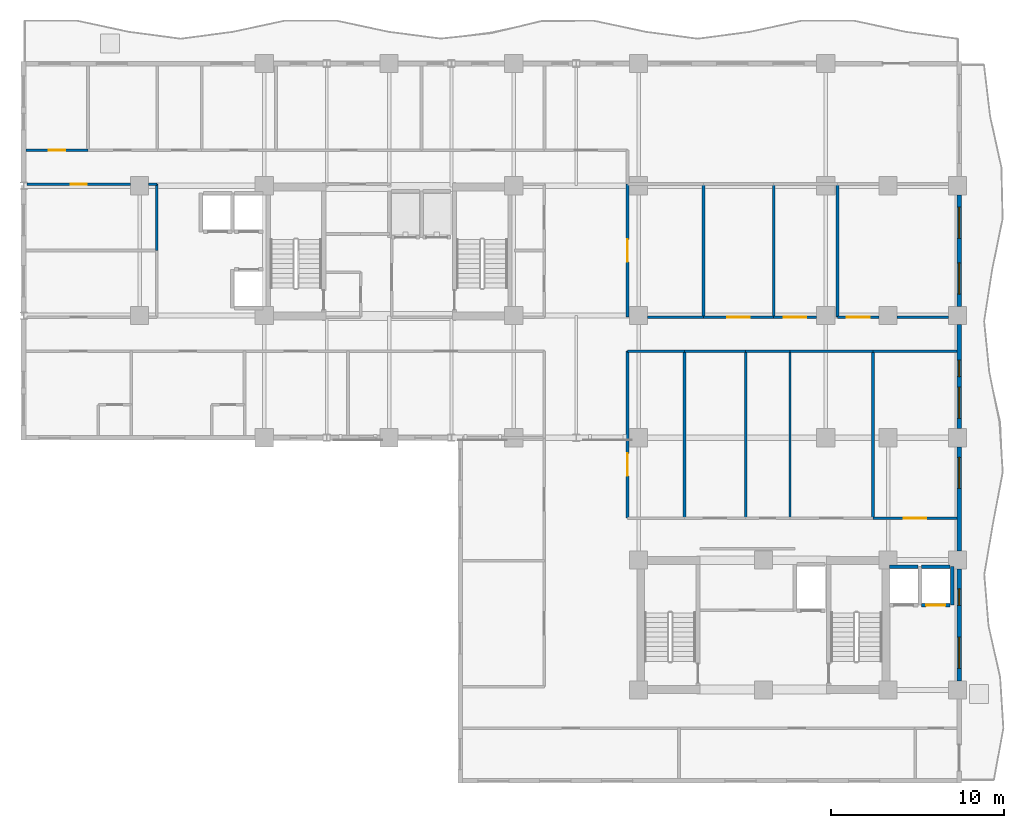
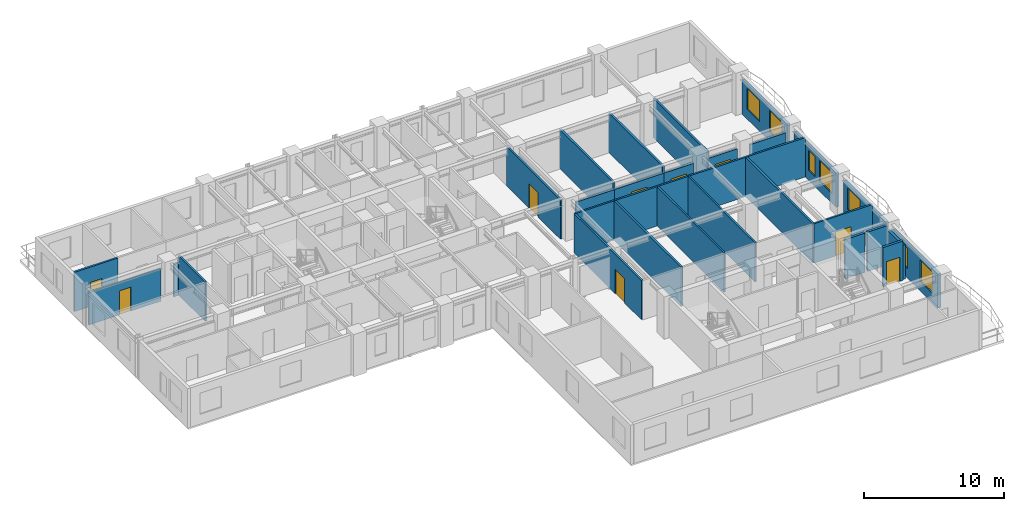
# One storey, part 7 of 14: 32 walls, 9 doors, 7 windows, 16 openings.
"""IFC4 building model written with IfcOpenShell, lengths in metres."""

from ifc_helpers import new_model, si_unit, direction, frame, frame_2d, origin, place, context, subcontext, project, spatial, rectangle, extrude, material, layer, layer_set, type_object, element, fill, save


model = new_model("IFC4")

# Units and contexts
model_context = context("Model", 3, precision=1e-05, world=origin(), true_north=direction((0.0, 1.0)))
body_context = subcontext(model_context, "Body", "Model", "MODEL_VIEW")
ifc_project = project(units=[si_unit("LENGTHUNIT", "METRE"), si_unit("AREAUNIT", "SQUARE_METRE"), si_unit("VOLUMEUNIT", "CUBIC_METRE"), si_unit("PLANEANGLEUNIT", "RADIAN"), si_unit("MASSUNIT", "GRAM", prefix="KILO")], contexts=[model_context])

# Site, building, storey
site_placement = place(None, origin())
site = spatial("IfcSite", under=ifc_project, at=site_placement, CompositionType="ELEMENT")
building_placement = place(site_placement, origin())
building = spatial("IfcBuilding", under=site, at=building_placement, Name="Kaliganga Portal Commons", CompositionType="ELEMENT")
storey_placement = place(building_placement, frame((0.0, 0.0, 151.300048828125)))
storey = spatial("IfcBuildingStorey", under=building, at=storey_placement, Name="L38", CompositionType="ELEMENT", Elevation=151.300048828125)

# Wall, openings, windows
ifc_material_1 = material(Name="Insulated Aluminium-Clad Spandrel Assembly", Category="aluminium")
ifc_layer_1 = layer(ifc_material_1, 0.260009765625)
ifc_layer_set_1 = layer_set([ifc_layer_1], Name="Insulated Aluminium-Clad Spandrel Assembly")
wall_type_1 = type_object("IfcWallType", Name="WL-EXT-SPAND-260", PredefinedType="STANDARD", material=ifc_layer_set_1)
wall_1_placement = place(storey_placement, frame((54.5, 14.02392578125, 0.0), z_axis=(0.0, 0.0, 1.0), x_axis=(0.0, -1.0, 0.0)))
wall_1 = element("IfcWall", 1, at=wall_1_placement, inside=storey, type_object=wall_type_1, Name="Exterior Envelope Wall L38 P1-E01-S2", PredefinedType="STANDARD", context=body_context, shape_type="SweptSolid", body=[
    extrude(rectangle(XDim=6.447998046875, YDim=0.260009765625, at=frame_2d((3.22412109375, 0.0))), origin(), (0.0, 0.0, 1.0), 2.989990234375),
])
opening_1_placement = place(wall_1_placement, frame((3.93603515625, 0.0, 0.85009765625)))
opening_1 = element("IfcOpeningElement", 2, at=opening_1_placement, cuts=wall_1, Name="Opening W-01", PredefinedType="OPENING", context=body_context, shape_type="SweptSolid", body=[
    extrude(rectangle(XDim=1.800048828125, YDim=1.85009765625, at=frame_2d((0.89990234375, 0.925048828125))), frame((0.0, 0.14013671875, 0.0), z_axis=(0.0, -1.0, 0.0), x_axis=(1.0, 0.0, 0.0)), (0.0, 0.0, 1.0), 0.280029296875),
])
opening_2_placement = place(wall_1_placement, frame((1.14990234375, 0.0, 0.85009765625)))
opening_2 = element("IfcOpeningElement", 3, at=opening_2_placement, cuts=wall_1, Name="Opening W-04", PredefinedType="OPENING", context=body_context, shape_type="SweptSolid", body=[
    extrude(rectangle(XDim=0.949951171875, YDim=1.75, at=frame_2d((0.47509765625, 0.875))), frame((0.0, 0.14013671875, 0.0), z_axis=(0.0, -1.0, 0.0), x_axis=(1.0, 0.0, 0.0)), (0.0, 0.0, 1.0), 0.280029296875),
])
ifc_material_2 = material(Name="Thermally Broken Aluminium and Low-E Double Glazing", Category="aluminium")
window_type_1 = type_object("IfcWindowType", Name="WIN-NARROW-950", PartitioningType="SINGLE_PANEL", PredefinedType="WINDOW", material=ifc_material_2)
window_1_placement = place(opening_2_placement, origin())
window_1 = element("IfcWindow", 4, at=window_1_placement, inside=storey, type_object=window_type_1, Name="Facade Window L38-P1E01S2-N1", OverallHeight=1.75, OverallWidth=0.949951171875, PartitioningType="SINGLE_PANEL", PredefinedType="WINDOW", context=body_context, shape_type="SweptSolid", body=[
    extrude(rectangle(XDim=0.949951171875, YDim=1.75, at=frame_2d((0.47509765625, 0.875))), frame((0.0, 0.030029296875, 0.0), z_axis=(0.0, -1.0, 0.0), x_axis=(1.0, 0.0, 0.0)), (0.0, 0.0, 1.0), 0.06005859375),
])
fill(opening_2, window_1)
window_type_2 = type_object("IfcWindowType", Name="WIN-STD-1800", PartitioningType="DOUBLE_PANEL_VERTICAL", PredefinedType="WINDOW", material=ifc_material_2)
window_2_placement = place(opening_1_placement, origin())
window_2 = element("IfcWindow", 5, at=window_2_placement, inside=storey, type_object=window_type_2, Name="Facade Window L38-P1E01S2-01", OverallHeight=1.85009765625, OverallWidth=1.800048828125, PartitioningType="SINGLE_PANEL", PredefinedType="WINDOW", context=body_context, shape_type="SweptSolid", body=[
    extrude(rectangle(XDim=1.800048828125, YDim=1.85009765625, at=frame_2d((0.89990234375, 0.925048828125))), frame((0.0, 0.030029296875, 0.0), z_axis=(0.0, -1.0, 0.0), x_axis=(1.0, 0.0, 0.0)), (0.0, 0.0, 1.0), 0.06005859375),
])
fill(opening_1, window_2)

# Wall, opening, window
wall_2_placement = place(storey_placement, frame((54.5, 21.073974609375, 0.0), z_axis=(0.0, 0.0, 1.0), x_axis=(0.0, -1.0, 0.0)))
wall_2 = element("IfcWall", 6, at=wall_2_placement, inside=storey, type_object=wall_type_1, Name="Exterior Envelope Wall L38 P1-E01-S3", PredefinedType="STANDARD", context=body_context, shape_type="SweptSolid", body=[
    extrude(rectangle(XDim=5.998046875, YDim=0.260009765625, at=frame_2d((2.9990234375, 0.0))), origin(), (0.0, 0.0, 1.0), 2.989990234375),
])
opening_3_placement = place(wall_2_placement, frame((0.599609375, 0.0, 0.85009765625)))
opening_3 = element("IfcOpeningElement", 7, at=opening_3_placement, cuts=wall_2, Name="Opening W-01", PredefinedType="OPENING", context=body_context, shape_type="SweptSolid", body=[
    extrude(rectangle(XDim=1.800048828125, YDim=1.85009765625, at=frame_2d((0.89990234375, 0.925048828125))), frame((0.0, 0.14013671875, 0.0), z_axis=(0.0, -1.0, 0.0), x_axis=(1.0, 0.0, 0.0)), (0.0, 0.0, 1.0), 0.280029296875),
])
window_3_placement = place(opening_3_placement, origin())
window_3 = element("IfcWindow", 8, at=window_3_placement, inside=storey, type_object=window_type_2, Name="Facade Window L38-P1E01S3-00", OverallHeight=1.85009765625, OverallWidth=1.800048828125, PartitioningType="SINGLE_PANEL", PredefinedType="WINDOW", context=body_context, shape_type="SweptSolid", body=[
    extrude(rectangle(XDim=1.800048828125, YDim=1.85009765625, at=frame_2d((0.89990234375, 0.925048828125))), frame((0.0, 0.030029296875, 0.0), z_axis=(0.0, -1.0, 0.0), x_axis=(1.0, 0.0, 0.0)), (0.0, 0.0, 1.0), 0.06005859375),
])
fill(opening_3, window_3)

# Wall, openings, windows
wall_3_placement = place(storey_placement, frame((54.5, 28.1240234375, 0.0), z_axis=(0.0, 0.0, 1.0), x_axis=(0.0, -1.0, 0.0)))
wall_3 = element("IfcWall", 9, at=wall_3_placement, inside=storey, type_object=wall_type_1, Name="Exterior Envelope Wall L38 P1-E01-S4", PredefinedType="STANDARD", context=body_context, shape_type="SweptSolid", body=[
    extrude(rectangle(XDim=5.998046875, YDim=0.260009765625, at=frame_2d((2.9990234375, 0.0))), origin(), (0.0, 0.0, 1.0), 2.989990234375),
])
opening_4_placement = place(wall_3_placement, frame((3.598388671875, 0.0, 0.85009765625)))
opening_4 = element("IfcOpeningElement", 10, at=opening_4_placement, cuts=wall_3, Name="Opening W-01", PredefinedType="OPENING", context=body_context, shape_type="SweptSolid", body=[
    extrude(rectangle(XDim=1.800048828125, YDim=1.85009765625, at=frame_2d((0.89990234375, 0.925048828125))), frame((0.0, 0.14013671875, 0.0), z_axis=(0.0, -1.0, 0.0), x_axis=(1.0, 0.0, 0.0)), (0.0, 0.0, 1.0), 0.280029296875),
])
opening_5_placement = place(wall_3_placement, frame((2.044189453125, 0.0, 0.85009765625)))
opening_5 = element("IfcOpeningElement", 11, at=opening_5_placement, cuts=wall_3, Name="Opening W-04", PredefinedType="OPENING", context=body_context, shape_type="SweptSolid", body=[
    extrude(rectangle(XDim=0.949951171875, YDim=1.75, at=frame_2d((0.47509765625, 0.875))), frame((0.0, 0.14013671875, 0.0), z_axis=(0.0, -1.0, 0.0), x_axis=(1.0, 0.0, 0.0)), (0.0, 0.0, 1.0), 0.280029296875),
])
window_4_placement = place(opening_5_placement, origin())
window_4 = element("IfcWindow", 12, at=window_4_placement, inside=storey, type_object=window_type_1, Name="Facade Window L38-P1E01S4-N5", OverallHeight=1.75, OverallWidth=0.949951171875, PartitioningType="SINGLE_PANEL", PredefinedType="WINDOW", context=body_context, shape_type="SweptSolid", body=[
    extrude(rectangle(XDim=0.949951171875, YDim=1.75, at=frame_2d((0.47509765625, 0.875))), frame((0.0, 0.030029296875, 0.0), z_axis=(0.0, -1.0, 0.0), x_axis=(1.0, 0.0, 0.0)), (0.0, 0.0, 1.0), 0.06005859375),
])
fill(opening_5, window_4)
window_5_placement = place(opening_4_placement, origin())
window_5 = element("IfcWindow", 13, at=window_5_placement, inside=storey, type_object=window_type_2, Name="Facade Window L38-P1E01S4-01", OverallHeight=1.85009765625, OverallWidth=1.800048828125, PartitioningType="SINGLE_PANEL", PredefinedType="WINDOW", context=body_context, shape_type="SweptSolid", body=[
    extrude(rectangle(XDim=1.800048828125, YDim=1.85009765625, at=frame_2d((0.89990234375, 0.925048828125))), frame((0.0, 0.030029296875, 0.0), z_axis=(0.0, -1.0, 0.0), x_axis=(1.0, 0.0, 0.0)), (0.0, 0.0, 1.0), 0.06005859375),
])
fill(opening_4, window_5)

wall_4_placement = place(storey_placement, frame((54.5, 35.6240234375, 0.0), z_axis=(0.0, 0.0, 1.0), x_axis=(0.0, -1.0, 0.0)))
wall_4 = element("IfcWall", 14, at=wall_4_placement, inside=storey, type_object=wall_type_1, Name="Exterior Envelope Wall L38 P1-E01-S5", PredefinedType="STANDARD", context=body_context, shape_type="SweptSolid", body=[
    extrude(rectangle(XDim=6.447998046875, YDim=0.260009765625, at=frame_2d((3.22412109375, 0.0))), origin(), (0.0, 0.0, 1.0), 2.989990234375),
])
opening_6_placement = place(wall_4_placement, frame((0.7119140625, 0.0, 0.85009765625)))
opening_6 = element("IfcOpeningElement", 15, at=opening_6_placement, cuts=wall_4, Name="Opening W-01", PredefinedType="OPENING", context=body_context, shape_type="SweptSolid", body=[
    extrude(rectangle(XDim=1.800048828125, YDim=1.85009765625, at=frame_2d((0.89990234375, 0.925048828125))), frame((0.0, 0.14013671875, 0.0), z_axis=(0.0, -1.0, 0.0), x_axis=(1.0, 0.0, 0.0)), (0.0, 0.0, 1.0), 0.280029296875),
])
opening_7_placement = place(wall_4_placement, frame((3.93603515625, 0.0, 0.85009765625)))
opening_7 = element("IfcOpeningElement", 16, at=opening_7_placement, cuts=wall_4, Name="Opening W-01", PredefinedType="OPENING", context=body_context, shape_type="SweptSolid", body=[
    extrude(rectangle(XDim=1.800048828125, YDim=1.85009765625, at=frame_2d((0.89990234375, 0.925048828125))), frame((0.0, 0.14013671875, 0.0), z_axis=(0.0, -1.0, 0.0), x_axis=(1.0, 0.0, 0.0)), (0.0, 0.0, 1.0), 0.280029296875),
])
window_6_placement = place(opening_6_placement, origin())
window_6 = element("IfcWindow", 17, at=window_6_placement, inside=storey, type_object=window_type_2, Name="Facade Window L38-P1E01S5-00", OverallHeight=1.85009765625, OverallWidth=1.800048828125, PartitioningType="SINGLE_PANEL", PredefinedType="WINDOW", context=body_context, shape_type="SweptSolid", body=[
    extrude(rectangle(XDim=1.800048828125, YDim=1.85009765625, at=frame_2d((0.89990234375, 0.925048828125))), frame((0.0, 0.030029296875, 0.0), z_axis=(0.0, -1.0, 0.0), x_axis=(1.0, 0.0, 0.0)), (0.0, 0.0, 1.0), 0.06005859375),
])
fill(opening_6, window_6)
window_7_placement = place(opening_7_placement, origin())
window_7 = element("IfcWindow", 18, at=window_7_placement, inside=storey, type_object=window_type_2, Name="Facade Window L38-P1E01S5-01", OverallHeight=1.85009765625, OverallWidth=1.800048828125, PartitioningType="SINGLE_PANEL", PredefinedType="WINDOW", context=body_context, shape_type="SweptSolid", body=[
    extrude(rectangle(XDim=1.800048828125, YDim=1.85009765625, at=frame_2d((0.89990234375, 0.925048828125))), frame((0.0, 0.030029296875, 0.0), z_axis=(0.0, -1.0, 0.0), x_axis=(1.0, 0.0, 0.0)), (0.0, 0.0, 1.0), 0.06005859375),
])
fill(opening_7, window_7)

# Wall, opening, door
ifc_material_3 = material(Name="Fire-Rated Gypsum Board on Steel Stud", Category="steel")
ifc_layer_2 = layer(ifc_material_3, 0.14990234375)
ifc_layer_set_2 = layer_set([ifc_layer_2], Name="Fire-Rated Gypsum Board on Steel Stud")
wall_type_2 = type_object("IfcWallType", Name="WL-PART-CORR-150", PredefinedType="PARTITIONING", material=ifc_layer_set_2)
wall_5_placement = place(storey_placement, frame((35.360107421875, 16.9599609375, 0.0), z_axis=(0.0, 0.0, 1.0), x_axis=(0.0, 1.0, 0.0)))
wall_5 = element("IfcWall", 19, at=wall_5_placement, inside=storey, type_object=wall_type_2, Name="Interior Partition L38-010", PredefinedType="PARTITIONING", context=body_context, shape_type="SweptSolid", body=[
    extrude(rectangle(XDim=9.64013671875, YDim=0.14990234375, at=frame_2d((4.820068359375, 0.0))), origin(), (0.0, 0.0, 1.0), 3.43994140625),
])
opening_8_placement = place(wall_5_placement, frame((2.434814453125, 0.0, 0.0)))
opening_8 = element("IfcOpeningElement", 20, at=opening_8_placement, cuts=wall_5, Name="Opening RD-03", PredefinedType="OPENING", context=body_context, shape_type="SweptSolid", body=[
    extrude(rectangle(XDim=1.300048828125, YDim=2.1201171875, at=frame_2d((0.64990234375, 1.06005859375))), frame((0.0, 0.0849609375, 0.0), z_axis=(0.0, -1.0, 0.0), x_axis=(1.0, 0.0, 0.0)), (0.0, 0.0, 1.0), 0.169921875),
])
ifc_material_4 = material(Name="Glazed Timber Seminar Vision Door", Category="wood")
door_type_1 = type_object("IfcDoorType", Name="DR-STUDY-1300", OperationType="DOUBLE_DOOR_SINGLE_SWING", PredefinedType="DOOR", material=ifc_material_4)
door_1_placement = place(opening_8_placement, origin())
door_1 = element("IfcDoor", 21, at=door_1_placement, inside=storey, type_object=door_type_1, Name="Interior Door L38-BM01", OperationType="DOUBLE_DOOR_SINGLE_SWING", OverallHeight=2.1201171875, OverallWidth=1.300048828125, PredefinedType="DOOR", context=body_context, shape_type="SweptSolid", body=[
    extrude(rectangle(XDim=1.300048828125, YDim=2.1201171875, at=frame_2d((0.64990234375, 1.06005859375))), frame((0.0, 0.02490234375, 0.0), z_axis=(0.0, -1.0, 0.0), x_axis=(1.0, 0.0, 0.0)), (0.0, 0.0, 1.0), 0.050048828125),
])
fill(opening_8, door_1)

wall_6_placement = place(storey_placement, frame((0.701904296875, 36.239990234375, 0.0), z_axis=(0.0, 0.0, 1.0), x_axis=(1.0, 0.0, 0.0)))
wall_6 = element("IfcWall", 22, at=wall_6_placement, inside=storey, type_object=wall_type_2, Name="Interior Partition L38-014", PredefinedType="PARTITIONING", context=body_context, shape_type="SweptSolid", body=[
    extrude(rectangle(XDim=5.97314453125, YDim=0.14990234375, at=frame_2d((2.986572265625, 0.0))), origin(), (0.0, 0.0, 1.0), 2.83984375),
])
opening_9_placement = place(wall_6_placement, frame((2.511474609375, 0.0, 0.0)))
opening_9 = element("IfcOpeningElement", 23, at=opening_9_placement, cuts=wall_6, Name="Opening UD-01", PredefinedType="OPENING", context=body_context, shape_type="SweptSolid", body=[
    extrude(rectangle(XDim=0.949951171875, YDim=2.10009765625, at=frame_2d((0.47509765625, 1.050048828125))), frame((0.0, 0.0849609375, 0.0), z_axis=(0.0, -1.0, 0.0), x_axis=(1.0, 0.0, 0.0)), (0.0, 0.0, 1.0), 0.169921875),
])
ifc_material_5 = material(Name="Solid-Core Timber Acoustic Fire Door", Category="wood")
door_type_2 = type_object("IfcDoorType", Name="DR-UNIT-950", OperationType="NOTDEFINED", PredefinedType="DOOR", material=ifc_material_5)
door_2_placement = place(opening_9_placement, origin())
door_2 = element("IfcDoor", 24, at=door_2_placement, inside=storey, type_object=door_type_2, Name="Interior Door L38-AW02", OperationType="SINGLE_SWING_LEFT", OverallHeight=2.10009765625, OverallWidth=0.949951171875, PredefinedType="DOOR", context=body_context, shape_type="SweptSolid", body=[
    extrude(rectangle(XDim=0.949951171875, YDim=2.10009765625, at=frame_2d((0.47509765625, 1.050048828125))), frame((0.0, 0.02490234375, 0.0), z_axis=(0.0, -1.0, 0.0), x_axis=(1.0, 0.0, 0.0)), (0.0, 0.0, 1.0), 0.050048828125),
])
fill(opening_9, door_2)

# Wall
wall_7_placement = place(storey_placement, frame((7.72509765625, 36.239990234375, 0.0), z_axis=(0.0, 0.0, 1.0), x_axis=(1.0, 0.0, 0.0)))
element("IfcWall", 25, at=wall_7_placement, inside=storey, type_object=wall_type_2, Name="Interior Partition L38-015", PredefinedType="PARTITIONING", context=body_context, shape_type="SweptSolid", body=[
    extrude(rectangle(XDim=0.474853515625, YDim=0.14990234375, at=frame_2d((0.2373046875, 0.0))), origin(), (0.0, 0.0, 1.0), 2.83984375),
])

# Wall, opening, door
wall_8_placement = place(storey_placement, frame((35.360107421875, 28.56005859375, 0.0), z_axis=(0.0, 0.0, 1.0), x_axis=(0.0, 1.0, 0.0)))
wall_8 = element("IfcWall", 26, at=wall_8_placement, inside=storey, type_object=wall_type_2, Name="Interior Partition L38-016", PredefinedType="PARTITIONING", context=body_context, shape_type="SweptSolid", body=[
    extrude(rectangle(XDim=7.679931640625, YDim=0.14990234375, at=frame_2d((3.83984375, 0.0))), origin(), (0.0, 0.0, 1.0), 3.43994140625),
])
opening_10_placement = place(wall_8_placement, frame((3.18994140625, 0.0, 0.0)))
opening_10 = element("IfcOpeningElement", 27, at=opening_10_placement, cuts=wall_8, Name="Opening RD-03", PredefinedType="OPENING", context=body_context, shape_type="SweptSolid", body=[
    extrude(rectangle(XDim=1.300048828125, YDim=2.1201171875, at=frame_2d((0.64990234375, 1.06005859375))), frame((0.0, 0.0849609375, 0.0), z_axis=(0.0, -1.0, 0.0), x_axis=(1.0, 0.0, 0.0)), (0.0, 0.0, 1.0), 0.169921875),
])
door_3_placement = place(opening_10_placement, origin())
door_3 = element("IfcDoor", 28, at=door_3_placement, inside=storey, type_object=door_type_1, Name="Interior Door L38-BK01", OperationType="DOUBLE_DOOR_SINGLE_SWING", OverallHeight=2.1201171875, OverallWidth=1.300048828125, PredefinedType="DOOR", context=body_context, shape_type="SweptSolid", body=[
    extrude(rectangle(XDim=1.300048828125, YDim=2.1201171875, at=frame_2d((0.64990234375, 1.06005859375))), frame((0.0, 0.02490234375, 0.0), z_axis=(0.0, -1.0, 0.0), x_axis=(1.0, 0.0, 0.0)), (0.0, 0.0, 1.0), 0.050048828125),
])
fill(opening_10, door_3)

wall_9_placement = place(storey_placement, frame((47.47998046875, 28.56005859375, 0.0), z_axis=(0.0, 0.0, 1.0), x_axis=(1.0, 0.0, 0.0)))
wall_9 = element("IfcWall", 29, at=wall_9_placement, inside=storey, type_object=wall_type_2, Name="Interior Partition L38-020", PredefinedType="PARTITIONING", context=body_context, shape_type="SweptSolid", body=[
    extrude(rectangle(XDim=2.39501953125, YDim=0.14990234375, at=frame_2d((1.197509765625, 0.0))), origin(), (0.0, 0.0, 1.0), 2.83984375),
])
opening_11_placement = place(wall_9_placement, frame((0.547607421875, 0.0, 0.0)))
opening_11 = element("IfcOpeningElement", 30, at=opening_11_placement, cuts=wall_9, Name="Opening RD-03", PredefinedType="OPENING", context=body_context, shape_type="SweptSolid", body=[
    extrude(rectangle(XDim=1.300048828125, YDim=2.1201171875, at=frame_2d((0.64990234375, 1.06005859375))), frame((0.0, 0.0849609375, 0.0), z_axis=(0.0, -1.0, 0.0), x_axis=(1.0, 0.0, 0.0)), (0.0, 0.0, 1.0), 0.169921875),
])
door_4_placement = place(opening_11_placement, origin())
door_4 = element("IfcDoor", 31, at=door_4_placement, inside=storey, type_object=door_type_1, Name="Interior Door L38-BK04", OperationType="DOUBLE_DOOR_SINGLE_SWING", OverallHeight=2.1201171875, OverallWidth=1.300048828125, PredefinedType="DOOR", context=body_context, shape_type="SweptSolid", body=[
    extrude(rectangle(XDim=1.300048828125, YDim=2.1201171875, at=frame_2d((0.64990234375, 1.06005859375))), frame((0.0, 0.02490234375, 0.0), z_axis=(0.0, -1.0, 0.0), x_axis=(1.0, 0.0, 0.0)), (0.0, 0.0, 1.0), 0.050048828125),
])
fill(opening_11, door_4)

# Wall
wall_10_placement = place(storey_placement, frame((50.925048828125, 28.56005859375, 0.0), z_axis=(0.0, 0.0, 1.0), x_axis=(1.0, 0.0, 0.0)))
element("IfcWall", 32, at=wall_10_placement, inside=storey, type_object=wall_type_2, Name="Interior Partition L38-021", PredefinedType="PARTITIONING", context=body_context, shape_type="SweptSolid", body=[
    extrude(rectangle(XDim=2.949951171875, YDim=0.14990234375, at=frame_2d((1.47509765625, 0.0))), origin(), (0.0, 0.0, 1.0), 2.83984375),
])

# Wall, opening, door
wall_11_placement = place(storey_placement, frame((49.52001953125, 16.9599609375, 0.0), z_axis=(0.0, 0.0, 1.0), x_axis=(1.0, 0.0, 0.0)))
wall_11 = element("IfcWall", 33, at=wall_11_placement, inside=storey, type_object=wall_type_2, Name="Interior Partition L38-028", PredefinedType="PARTITIONING", context=body_context, shape_type="SweptSolid", body=[
    extrude(rectangle(XDim=4.847900390625, YDim=0.14990234375, at=frame_2d((2.423828125, 0.0))), origin(), (0.0, 0.0, 1.0), 3.43994140625),
])
opening_12_placement = place(wall_11_placement, frame((1.77392578125, 0.0, 0.0)))
opening_12 = element("IfcOpeningElement", 34, at=opening_12_placement, cuts=wall_11, Name="Opening RD-03", PredefinedType="OPENING", context=body_context, shape_type="SweptSolid", body=[
    extrude(rectangle(XDim=1.300048828125, YDim=2.1201171875, at=frame_2d((0.64990234375, 1.06005859375))), frame((0.0, 0.0849609375, 0.0), z_axis=(0.0, -1.0, 0.0), x_axis=(1.0, 0.0, 0.0)), (0.0, 0.0, 1.0), 0.169921875),
])
door_5_placement = place(opening_12_placement, origin())
door_5 = element("IfcDoor", 35, at=door_5_placement, inside=storey, type_object=door_type_1, Name="Interior Door L38-BM05", OperationType="DOUBLE_DOOR_SINGLE_SWING", OverallHeight=2.1201171875, OverallWidth=1.300048828125, PredefinedType="DOOR", context=body_context, shape_type="SweptSolid", body=[
    extrude(rectangle(XDim=1.300048828125, YDim=2.1201171875, at=frame_2d((0.64990234375, 1.06005859375))), frame((0.0, 0.02490234375, 0.0), z_axis=(0.0, -1.0, 0.0), x_axis=(1.0, 0.0, 0.0)), (0.0, 0.0, 1.0), 0.050048828125),
])
fill(opening_12, door_5)

# Walls
wall_12_placement = place(storey_placement, frame((49.52001953125, 26.60009765625, 0.0), z_axis=(0.0, 0.0, 1.0), x_axis=(1.0, 0.0, 0.0)))
element("IfcWall", 36, at=wall_12_placement, inside=storey, type_object=wall_type_2, Name="Interior Partition L38-029", PredefinedType="PARTITIONING", context=body_context, shape_type="SweptSolid", body=[
    extrude(rectangle(XDim=4.847900390625, YDim=0.14990234375, at=frame_2d((2.423828125, 0.0))), origin(), (0.0, 0.0, 1.0), 3.43994140625),
])
wall_13_placement = place(storey_placement, frame((44.739990234375, 26.60009765625, 0.0), z_axis=(0.0, 0.0, 1.0), x_axis=(1.0, 0.0, 0.0)))
element("IfcWall", 37, at=wall_13_placement, inside=storey, type_object=wall_type_2, Name="Interior Partition L38-033", PredefinedType="PARTITIONING", context=body_context, shape_type="SweptSolid", body=[
    extrude(rectangle(XDim=4.780029296875, YDim=0.14990234375, at=frame_2d((2.39013671875, 0.0))), origin(), (0.0, 0.0, 1.0), 3.43994140625),
])
wall_14_placement = place(storey_placement, frame((36.52490234375, 28.56005859375, 0.0), z_axis=(0.0, 0.0, 1.0), x_axis=(1.0, 0.0, 0.0)))
element("IfcWall", 38, at=wall_14_placement, inside=storey, type_object=wall_type_2, Name="Interior Partition L38-034", PredefinedType="PARTITIONING", context=body_context, shape_type="SweptSolid", body=[
    extrude(rectangle(XDim=3.215087890625, YDim=0.14990234375, at=frame_2d((1.607421875, 0.0))), origin(), (0.0, 0.0, 1.0), 2.83984375),
])

# Wall, opening, door
wall_15_placement = place(storey_placement, frame((39.739990234375, 28.56005859375, 0.0), z_axis=(0.0, 0.0, 1.0), x_axis=(1.0, 0.0, 0.0)))
wall_15 = element("IfcWall", 39, at=wall_15_placement, inside=storey, type_object=wall_type_2, Name="Interior Partition L38-036", PredefinedType="PARTITIONING", context=body_context, shape_type="SweptSolid", body=[
    extrude(rectangle(XDim=4.06005859375, YDim=0.14990234375, at=frame_2d((2.030029296875, 0.0))), origin(), (0.0, 0.0, 1.0), 2.83984375),
])
opening_13_placement = place(wall_15_placement, frame((1.3798828125, 0.0, 0.0)))
opening_13 = element("IfcOpeningElement", 40, at=opening_13_placement, cuts=wall_15, Name="Opening RD-03", PredefinedType="OPENING", context=body_context, shape_type="SweptSolid", body=[
    extrude(rectangle(XDim=1.300048828125, YDim=2.1201171875, at=frame_2d((0.64990234375, 1.06005859375))), frame((0.0, 0.0849609375, 0.0), z_axis=(0.0, -1.0, 0.0), x_axis=(1.0, 0.0, 0.0)), (0.0, 0.0, 1.0), 0.169921875),
])
door_6_placement = place(opening_13_placement, origin())
door_6 = element("IfcDoor", 41, at=door_6_placement, inside=storey, type_object=door_type_1, Name="Interior Door L38-BK02", OperationType="DOUBLE_DOOR_SINGLE_SWING", OverallHeight=2.1201171875, OverallWidth=1.300048828125, PredefinedType="DOOR", context=body_context, shape_type="SweptSolid", body=[
    extrude(rectangle(XDim=1.300048828125, YDim=2.1201171875, at=frame_2d((0.64990234375, 1.06005859375))), frame((0.0, 0.02490234375, 0.0), z_axis=(0.0, -1.0, 0.0), x_axis=(1.0, 0.0, 0.0)), (0.0, 0.0, 1.0), 0.050048828125),
])
fill(opening_13, door_6)

# Wall
wall_16_placement = place(storey_placement, frame((8.199951171875, 32.39990234375, 0.0), z_axis=(0.0, 0.0, 1.0), x_axis=(0.0, 1.0, 0.0)))
element("IfcWall", 42, at=wall_16_placement, inside=storey, type_object=wall_type_2, Name="Interior Partition L38-038", PredefinedType="PARTITIONING", context=body_context, shape_type="SweptSolid", body=[
    extrude(rectangle(XDim=3.840087890625, YDim=0.14990234375, at=frame_2d((1.919921875, 0.0))), origin(), (0.0, 0.0, 1.0), 3.43994140625),
])

# Wall, opening, door
wall_17_placement = place(storey_placement, frame((0.632080078125, 38.199951171875, 0.0), z_axis=(0.0, 0.0, 1.0), x_axis=(1.0, 0.0, 0.0)))
wall_17 = element("IfcWall", 43, at=wall_17_placement, inside=storey, type_object=wall_type_2, Name="Interior Partition L38-042", PredefinedType="PARTITIONING", context=body_context, shape_type="SweptSolid", body=[
    extrude(rectangle(XDim=3.587890625, YDim=0.14990234375, at=frame_2d((1.7939453125, 0.0))), origin(), (0.0, 0.0, 1.0), 3.43994140625),
])
opening_14_placement = place(wall_17_placement, frame((1.319091796875, 0.0, 0.0)))
opening_14 = element("IfcOpeningElement", 44, at=opening_14_placement, cuts=wall_17, Name="Opening UD-01", PredefinedType="OPENING", context=body_context, shape_type="SweptSolid", body=[
    extrude(rectangle(XDim=0.949951171875, YDim=2.10009765625, at=frame_2d((0.47509765625, 1.050048828125))), frame((0.0, 0.0849609375, 0.0), z_axis=(0.0, -1.0, 0.0), x_axis=(1.0, 0.0, 0.0)), (0.0, 0.0, 1.0), 0.169921875),
])
door_7_placement = place(opening_14_placement, origin())
door_7 = element("IfcDoor", 45, at=door_7_placement, inside=storey, type_object=door_type_2, Name="Interior Door L38-AN01", OperationType="SINGLE_SWING_LEFT", OverallHeight=2.10009765625, OverallWidth=0.949951171875, PredefinedType="DOOR", context=body_context, shape_type="SweptSolid", body=[
    extrude(rectangle(XDim=0.949951171875, YDim=2.10009765625, at=frame_2d((0.47509765625, 1.050048828125))), frame((0.0, 0.02490234375, 0.0), z_axis=(0.0, -1.0, 0.0), x_axis=(1.0, 0.0, 0.0)), (0.0, 0.0, 1.0), 0.050048828125),
])
fill(opening_14, door_7)

wall_18_placement = place(storey_placement, frame((43.800048828125, 28.56005859375, 0.0), z_axis=(0.0, 0.0, 1.0), x_axis=(1.0, 0.0, 0.0)))
wall_18 = element("IfcWall", 46, at=wall_18_placement, inside=storey, type_object=wall_type_2, Name="Interior Partition L38-043", PredefinedType="PARTITIONING", context=body_context, shape_type="SweptSolid", body=[
    extrude(rectangle(XDim=2.474853515625, YDim=0.14990234375, at=frame_2d((1.2373046875, 0.0))), origin(), (0.0, 0.0, 1.0), 2.83984375),
])
opening_15_placement = place(wall_18_placement, frame((0.58740234375, 0.0, 0.0)))
opening_15 = element("IfcOpeningElement", 47, at=opening_15_placement, cuts=wall_18, Name="Opening RD-03", PredefinedType="OPENING", context=body_context, shape_type="SweptSolid", body=[
    extrude(rectangle(XDim=1.300048828125, YDim=2.1201171875, at=frame_2d((0.64990234375, 1.06005859375))), frame((0.0, 0.0849609375, 0.0), z_axis=(0.0, -1.0, 0.0), x_axis=(1.0, 0.0, 0.0)), (0.0, 0.0, 1.0), 0.169921875),
])
door_8_placement = place(opening_15_placement, origin())
door_8 = element("IfcDoor", 48, at=door_8_placement, inside=storey, type_object=door_type_1, Name="Interior Door L38-BK03", OperationType="DOUBLE_DOOR_SINGLE_SWING", OverallHeight=2.1201171875, OverallWidth=1.300048828125, PredefinedType="DOOR", context=body_context, shape_type="SweptSolid", body=[
    extrude(rectangle(XDim=1.300048828125, YDim=2.1201171875, at=frame_2d((0.64990234375, 1.06005859375))), frame((0.0, 0.02490234375, 0.0), z_axis=(0.0, -1.0, 0.0), x_axis=(1.0, 0.0, 0.0)), (0.0, 0.0, 1.0), 0.050048828125),
])
fill(opening_15, door_8)

# Walls
wall_19_placement = place(storey_placement, frame((38.639892578125, 26.60009765625, 0.0), z_axis=(0.0, 0.0, 1.0), x_axis=(1.0, 0.0, 0.0)))
element("IfcWall", 49, at=wall_19_placement, inside=storey, type_object=wall_type_2, Name="Interior Partition L38-046", PredefinedType="PARTITIONING", context=body_context, shape_type="SweptSolid", body=[
    extrude(rectangle(XDim=3.5400390625, YDim=0.14990234375, at=frame_2d((1.77001953125, 0.0))), origin(), (0.0, 0.0, 1.0), 3.43994140625),
])
wall_20_placement = place(storey_placement, frame((35.360107421875, 26.60009765625, 0.0), z_axis=(0.0, 0.0, 1.0), x_axis=(1.0, 0.0, 0.0)))
element("IfcWall", 50, at=wall_20_placement, inside=storey, type_object=wall_type_2, Name="Interior Partition L38-048", PredefinedType="PARTITIONING", context=body_context, shape_type="SweptSolid", body=[
    extrude(rectangle(XDim=3.27978515625, YDim=0.14990234375, at=frame_2d((1.639892578125, 0.0))), origin(), (0.0, 0.0, 1.0), 3.43994140625),
])
wall_21_placement = place(storey_placement, frame((42.179931640625, 26.60009765625, 0.0), z_axis=(0.0, 0.0, 1.0), x_axis=(1.0, 0.0, 0.0)))
element("IfcWall", 51, at=wall_21_placement, inside=storey, type_object=wall_type_2, Name="Interior Partition L38-051", PredefinedType="PARTITIONING", context=body_context, shape_type="SweptSolid", body=[
    extrude(rectangle(XDim=2.56005859375, YDim=0.14990234375, at=frame_2d((1.280029296875, 0.0))), origin(), (0.0, 0.0, 1.0), 3.43994140625),
])
ifc_material_6 = material(Name="Twin-Stud Acoustic Gypsum Partition", Category="gypsum")
ifc_layer_3 = layer(ifc_material_6, 0.1650390625)
ifc_layer_set_3 = layer_set([ifc_layer_3], Name="Twin-Stud Acoustic Gypsum Partition")
wall_type_3 = type_object("IfcWallType", Name="WL-PART-UNIT-165", PredefinedType="PARTITIONING", material=ifc_layer_set_3)
for number, where, z_axis, x_axis, name in (
    (52, (38.639892578125, 16.9599609375, 0.0), (0.0, 0.0, 1.0), (0.0, 1.0, 0.0), "Interior Partition L38-061"),
    (53, (49.52001953125, 16.9599609375, 0.0), (0.0, 0.0, 1.0), (0.0, 1.0, 0.0), "Interior Partition L38-064"),
):
    element("IfcWall", number, at=place(storey_placement, frame(where, z_axis=z_axis, x_axis=x_axis)), inside=storey, type_object=wall_type_3, Name=name, PredefinedType="PARTITIONING", context=body_context, shape_type="SweptSolid", body=[
        extrude(rectangle(XDim=9.64013671875, YDim=0.1650390625, at=frame_2d((4.820068359375, 0.0))), origin(), (0.0, 0.0, 1.0), 3.43994140625),
    ])
for number, where, z_axis, x_axis, name in (
    (54, (39.739990234375, 28.56005859375, 0.0), (0.0, 0.0, 1.0), (0.0, 1.0, 0.0), "Interior Partition L38-066"),
    (55, (43.800048828125, 28.56005859375, 0.0), (0.0, 0.0, 1.0), (0.0, 1.0, 0.0), "Interior Partition L38-067"),
    (56, (47.47998046875, 28.56005859375, 0.0), (0.0, 0.0, 1.0), (0.0, 1.0, 0.0), "Interior Partition L38-068"),
):
    element("IfcWall", number, at=place(storey_placement, frame(where, z_axis=z_axis, x_axis=x_axis)), inside=storey, type_object=wall_type_3, Name=name, PredefinedType="PARTITIONING", context=body_context, shape_type="SweptSolid", body=[
        extrude(rectangle(XDim=7.679931640625, YDim=0.1650390625, at=frame_2d((3.83984375, 0.0))), origin(), (0.0, 0.0, 1.0), 3.43994140625),
    ])
ifc_material_7 = material(Name="Cement-Board Wet-Room Partition", Category="gypsum")
ifc_layer_4 = layer(ifc_material_7, 0.135009765625)
ifc_layer_set_4 = layer_set([ifc_layer_4], Name="Cement-Board Wet-Room Partition")
wall_type_4 = type_object("IfcWallType", Name="WL-PART-WET-135", PredefinedType="PARTITIONING", material=ifc_layer_set_4)
for number, where, z_axis, x_axis, name in (
    (57, (42.179931640625, 16.9599609375, 0.0), (0.0, 0.0, 1.0), (0.0, 1.0, 0.0), "Interior Partition L38-062"),
    (58, (44.739990234375, 16.9599609375, 0.0), (0.0, 0.0, 1.0), (0.0, 1.0, 0.0), "Interior Partition L38-063"),
):
    element("IfcWall", number, at=place(storey_placement, frame(where, z_axis=z_axis, x_axis=x_axis)), inside=storey, type_object=wall_type_4, Name=name, PredefinedType="PARTITIONING", context=body_context, shape_type="SweptSolid", body=[
        extrude(rectangle(XDim=9.64013671875, YDim=0.135009765625, at=frame_2d((4.820068359375, 0.0))), origin(), (0.0, 0.0, 1.0), 3.43994140625),
    ])
ifc_material_8 = material(Name="Fire-Rated Shaftwall Masonry Assembly", Category="masonry")
ifc_layer_5 = layer(ifc_material_8, 0.199951171875)
ifc_layer_set_5 = layer_set([ifc_layer_5], Name="Fire-Rated Shaftwall Masonry Assembly")
wall_type_5 = type_object("IfcWallType", Name="WL-SHAFT-200", PredefinedType="PARTITIONING", material=ifc_layer_set_5)
wall_22_placement = place(storey_placement, frame((50.47509765625, 14.1650390625, 0.0), z_axis=(0.0, 0.0, 1.0), x_axis=(1.0, 0.0, 0.0)))
element("IfcWall", 59, at=wall_22_placement, inside=storey, type_object=wall_type_5, Name="Lift PL-B3 Hoistway Shaft Wall L38-N", PredefinedType="PARTITIONING", context=body_context, shape_type="SweptSolid", body=[
    extrude(rectangle(XDim=1.64990234375, YDim=0.199951171875, at=frame_2d((0.824951171875, 0.0))), origin(), (0.0, 0.0, 1.0), 3.43994140625),
])

# Wall, opening, door
wall_23_placement = place(storey_placement, frame((52.324951171875, 11.93505859375, 0.0), z_axis=(0.0, 0.0, 1.0), x_axis=(1.0, 0.0, 0.0)))
wall_23 = element("IfcWall", 60, at=wall_23_placement, inside=storey, type_object=wall_type_5, Name="Lift PL-B4 Hoistway Shaft Wall L38-S", PredefinedType="PARTITIONING", context=body_context, shape_type="SweptSolid", body=[
    extrude(rectangle(XDim=1.650146484375, YDim=0.199951171875, at=frame_2d((0.8251953125, 0.0))), origin(), (0.0, 0.0, 1.0), 3.43994140625),
])
opening_16_placement = place(wall_23_placement, frame((0.27490234375, 0.0, 0.0)))
opening_16 = element("IfcOpeningElement", 61, at=opening_16_placement, cuts=wall_23, Name="Opening LD-01", PredefinedType="OPENING", context=body_context, shape_type="SweptSolid", body=[
    extrude(rectangle(XDim=1.10009765625, YDim=2.1201171875, at=frame_2d((0.550048828125, 1.06005859375))), frame((0.0, 0.10986328125, 0.0), z_axis=(0.0, -1.0, 0.0), x_axis=(1.0, 0.0, 0.0)), (0.0, 0.0, 1.0), 0.219970703125),
])
ifc_material_9 = material(Name="Brushed Stainless Steel 316 Lift Landing Door", Category="steel")
door_type_3 = type_object("IfcDoorType", Name="DR-LIFT-1100", OperationType="SLIDING_TO_LEFT", PredefinedType="DOOR", material=ifc_material_9)
door_9_placement = place(opening_16_placement, origin())
door_9 = element("IfcDoor", 62, at=door_9_placement, inside=storey, type_object=door_type_3, Name="Lift PL-B4 Sliding Landing Door L38", OperationType="SLIDING_TO_LEFT", OverallHeight=2.1201171875, OverallWidth=1.10009765625, PredefinedType="DOOR", context=body_context, shape_type="SweptSolid", body=[
    extrude(rectangle(XDim=1.10009765625, YDim=2.1201171875, at=frame_2d((0.550048828125, 1.06005859375))), frame((0.0, 0.02490234375, 0.0), z_axis=(0.0, -1.0, 0.0), x_axis=(1.0, 0.0, 0.0)), (0.0, 0.0, 1.0), 0.050048828125),
])
fill(opening_16, door_9)

# Walls
wall_24_placement = place(storey_placement, frame((52.324951171875, 14.1650390625, 0.0), z_axis=(0.0, 0.0, 1.0), x_axis=(1.0, 0.0, 0.0)))
element("IfcWall", 63, at=wall_24_placement, inside=storey, type_object=wall_type_5, Name="Lift PL-B4 Hoistway Shaft Wall L38-N", PredefinedType="PARTITIONING", context=body_context, shape_type="SweptSolid", body=[
    extrude(rectangle(XDim=1.650146484375, YDim=0.199951171875, at=frame_2d((0.8251953125, 0.0))), origin(), (0.0, 0.0, 1.0), 3.43994140625),
])
wall_25_placement = place(storey_placement, frame((54.114990234375, 11.93505859375, 0.0), z_axis=(0.0, 0.0, 1.0), x_axis=(0.0, 1.0, 0.0)))
element("IfcWall", 64, at=wall_25_placement, inside=storey, type_object=wall_type_5, Name="Lift PL-B4 Hoistway Shaft Wall L38-E", PredefinedType="PARTITIONING", context=body_context, shape_type="SweptSolid", body=[
    extrude(rectangle(XDim=2.22998046875, YDim=0.199951171875, at=frame_2d((1.114990234375, 0.0))), origin(), (0.0, 0.0, 1.0), 2.989990234375),
])

save(model, "model.ifc")
